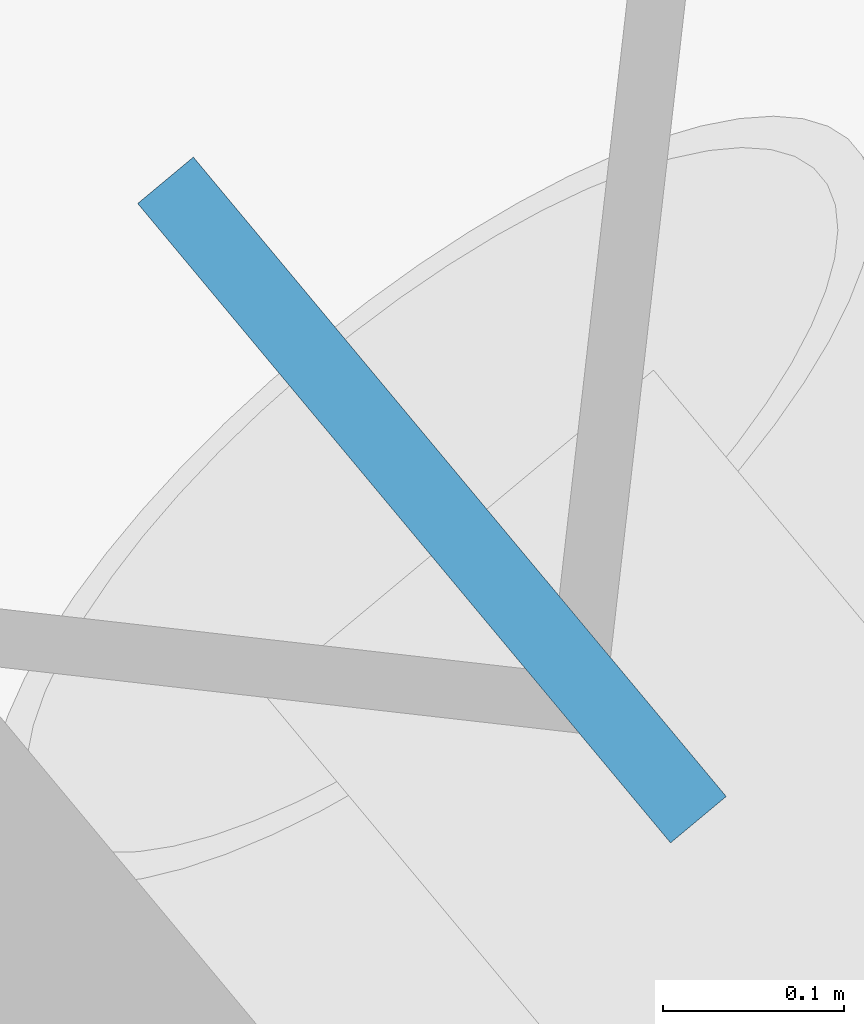
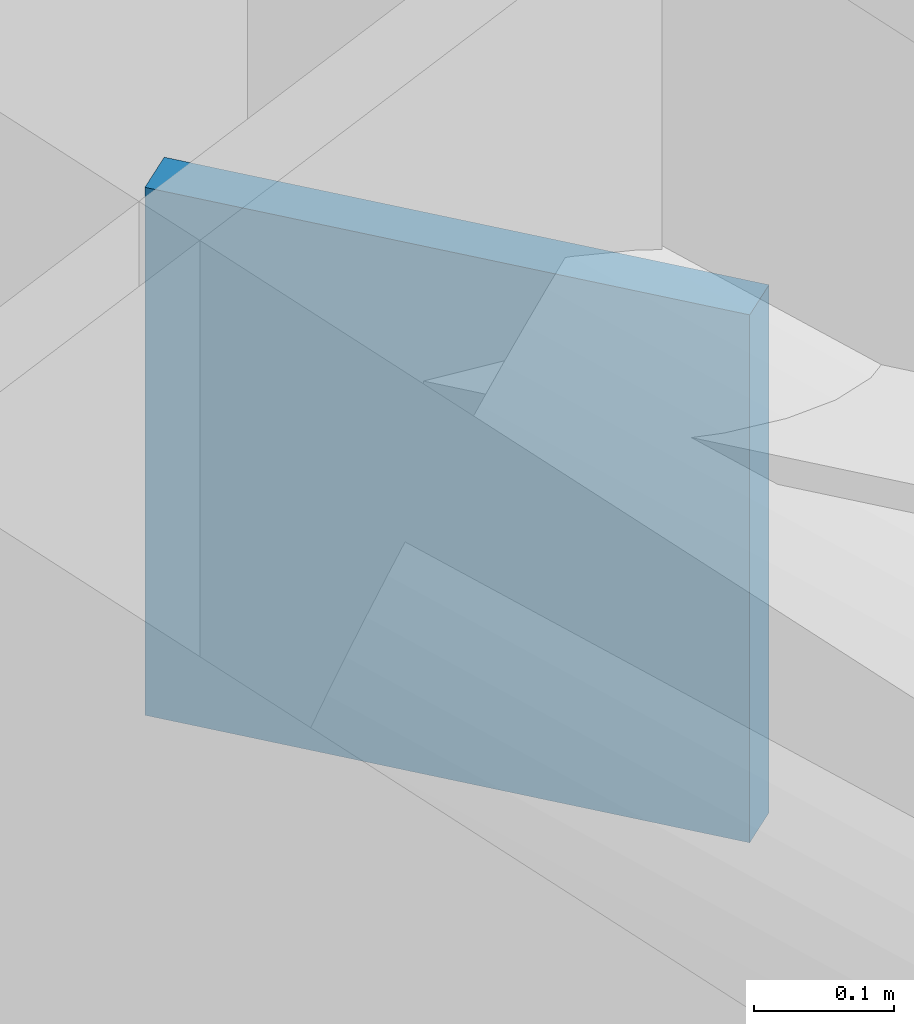
# One storey, part 20 of 21: 1 discrete accessory.
"""IFC4 building model written with IfcOpenShell, lengths in metres."""

from ifc_helpers import new_model, si_unit, direction, frame, origin, origin_2d, place, context, subcontext, project, spatial, rectangle, extrude, material, type_object, element, save


model = new_model("IFC4")

# Units and contexts
model_context = context("Model", 3, precision=1e-05, world=origin(), true_north=direction((0.0, 1.0)))
body_context = subcontext(model_context, "Body", "Model", "MODEL_VIEW")
ifc_project = project(units=[si_unit("LENGTHUNIT", "METRE"), si_unit("AREAUNIT", "SQUARE_METRE"), si_unit("VOLUMEUNIT", "CUBIC_METRE"), si_unit("PLANEANGLEUNIT", "RADIAN"), si_unit("MASSUNIT", "GRAM", prefix="KILO")], contexts=[model_context])

# Site, building, storey
site_placement = place(None, origin())
site = spatial("IfcSite", under=ifc_project, at=site_placement, CompositionType="ELEMENT")
building_placement = place(site_placement, origin())
building = spatial("IfcBuilding", under=site, at=building_placement, Name="Tavrogorsk Clinical Tower", CompositionType="ELEMENT")
storey_placement = place(building_placement, frame((0.0, 0.0, 137.39990234375)))
storey = spatial("IfcBuildingStorey", under=building, at=storey_placement, Name="L31", CompositionType="ELEMENT", Elevation=137.39990234375)

# Discrete accessory
ifc_material = material(Name="Structural steel S440", Category="steel")
discrete_accessory_type = type_object("IfcDiscreteAccessoryType", Name="GussetPlateBracket_25", PredefinedType="BRACKET", material=ifc_material)
discrete_accessory_placement = place(storey_placement, frame((37.2109375, 18.06640625, 2.68310546875), z_axis=(0.0, 0.0, 1.0), x_axis=(-0.640243780506, 0.768171791674, 0.0)))
element("IfcDiscreteAccessory", 1, at=discrete_accessory_placement, inside=storey, type_object=discrete_accessory_type, Name="L31 Brace Gusset Plate EXOCRN-L31-2-B", PredefinedType="BRACKET", context=body_context, shape_type="SweptSolid", body=[
    extrude(rectangle(XDim=0.4599609375, YDim=0.0400390625, at=origin_2d()), origin(), (0.0, 0.0, 1.0), 0.4599609375),
])

save(model, "model.ifc")
